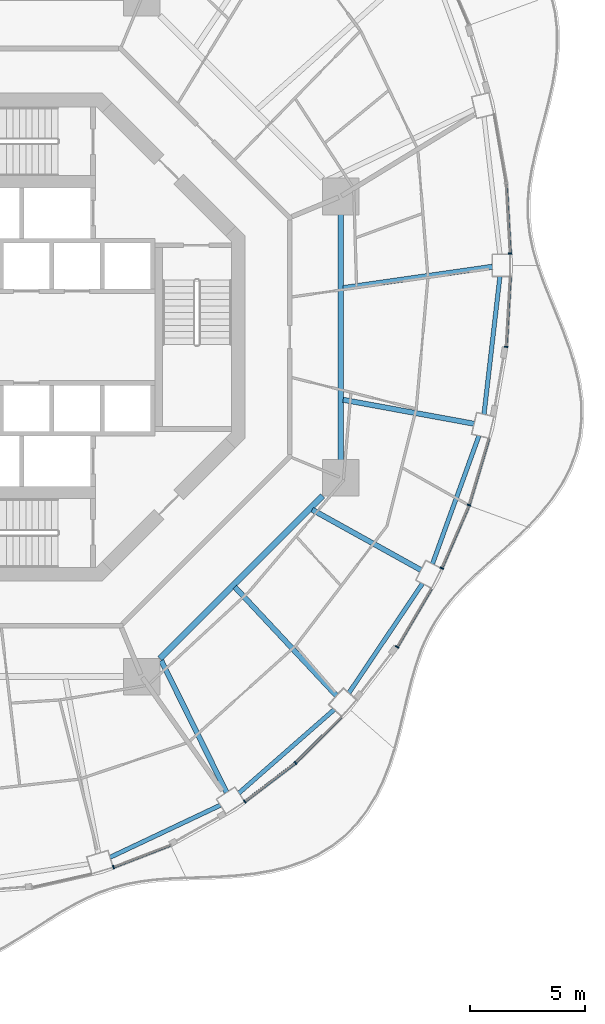
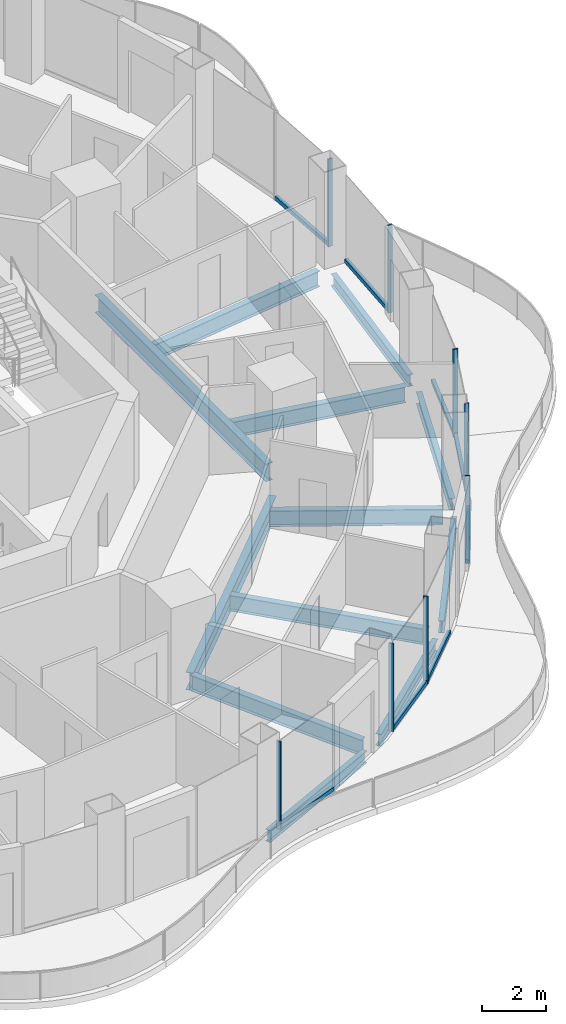
# One storey, part 4 of 18: 16 members, 12 beams, 8 elements without a shape of their own.
"""IFC4 building model written with IfcOpenShell, lengths in metres."""

from ifc_helpers import new_model, si_unit, direction, frame, origin, origin_2d, place, context, subcontext, project, spatial, rectangle, i_section, extrude, material, layer, layer_set, material_profile, profile_set, type_object, element, aggregate, save


model = new_model("IFC4")

# Units and contexts
model_context = context("Model", 3, precision=1e-05, world=origin(), true_north=direction((0.0, 1.0)))
body_context = subcontext(model_context, "Body", "Model", "MODEL_VIEW")
ifc_project = project(units=[si_unit("LENGTHUNIT", "METRE"), si_unit("AREAUNIT", "SQUARE_METRE"), si_unit("VOLUMEUNIT", "CUBIC_METRE"), si_unit("PLANEANGLEUNIT", "RADIAN"), si_unit("MASSUNIT", "GRAM", prefix="KILO")], contexts=[model_context])

# Site, building, storey
site_placement = place(None, origin())
site = spatial("IfcSite", under=ifc_project, at=site_placement, CompositionType="ELEMENT")
building_placement = place(site_placement, origin())
building = spatial("IfcBuilding", under=site, at=building_placement, Name="Nagisa Residences", CompositionType="ELEMENT")
storey_placement = place(building_placement, frame((0.0, 0.0, 249.199951171875)))
storey = spatial("IfcBuildingStorey", under=building, at=storey_placement, Name="L63", CompositionType="ELEMENT", Elevation=249.199951171875)

# Curtain wall, member
ifc_material_1 = material(Name="Concrete-coloured aluminium curtain wall system", Category="concrete")
ifc_layer = layer(ifc_material_1, 0.159912109375)
ifc_layer_set = layer_set([ifc_layer], Name="CW1 CURTAIN WALL")
curtain_wall_type = type_object("IfcCurtainWallType", Name="CW1 CURTAIN WALL", PredefinedType="NOTDEFINED", material=ifc_layer_set)
curtain_wall_1_placement = place(storey_placement, origin())
curtain_wall_1 = element("IfcCurtainWall", 1, at=curtain_wall_1_placement, inside=storey, type_object=curtain_wall_type, Name="cw:CW1:L63:00", PredefinedType="NOTDEFINED")
ifc_material_2 = material(Name="Concrete-coloured aluminium", Category="concrete")
ifc_material_profile_1 = material_profile(ifc_material_2, rectangle(XDim=0.159912109375, YDim=0.06005859375, at=origin_2d()), Name="CW1 MULLION 160x60")
ifc_profile_set_1 = profile_set([ifc_material_profile_1], Name="Concrete-coloured aluminium")
member_type_1 = type_object("IfcMemberType", Name="CW1 MULLION 160x60", PredefinedType="MULLION", material=ifc_profile_set_1)
member_1_placement = place(storey_placement, frame((22.15966796875, 3.642333984375, 0.0), z_axis=(0.0, 0.0, 1.0), x_axis=(-0.998345305184, -0.057503492216, 0.0)))
member_1 = element("IfcMember", 2, at=member_1_placement, type_object=member_type_1, Name="CW1 mullion", PredefinedType="MULLION", context=body_context, shape_type="SweptSolid", body=[
    extrude(rectangle(XDim=0.159912109375, YDim=0.06005859375, at=origin_2d()), origin(), (0.0, 0.0, 1.0), 3.35009765625),
])

curtain_wall_2_placement = place(storey_placement, origin())
curtain_wall_2 = element("IfcCurtainWall", 3, at=curtain_wall_2_placement, inside=storey, type_object=curtain_wall_type, Name="cw:CW1:L63:38", PredefinedType="NOTDEFINED")
member_2_placement = place(storey_placement, frame((4.895263671875, -23.073486328125, 0.0), z_axis=(0.0, 0.0, 1.0), x_axis=(-0.360327770268, 0.932825759707, 0.0)))
member_2 = element("IfcMember", 4, at=member_2_placement, type_object=member_type_1, Name="CW1 mullion", PredefinedType="MULLION", context=body_context, shape_type="SweptSolid", body=[
    extrude(rectangle(XDim=0.159912109375, YDim=0.06005859375, at=origin_2d()), origin(), (0.0, 0.0, 1.0), 3.35009765625),
])

curtain_wall_3_placement = place(storey_placement, origin())
curtain_wall_3 = element("IfcCurtainWall", 5, at=curtain_wall_3_placement, inside=storey, type_object=curtain_wall_type, Name="cw:CW1:L63:40", PredefinedType="NOTDEFINED")
member_3_placement = place(storey_placement, frame((10.6083984375, -20.21826171875, 0.0), z_axis=(0.0, 0.0, 1.0), x_axis=(-0.605255421737, 0.79603132756, 0.0)))
member_3 = element("IfcMember", 6, at=member_3_placement, type_object=member_type_1, Name="CW1 mullion", PredefinedType="MULLION", context=body_context, shape_type="SweptSolid", body=[
    extrude(rectangle(XDim=0.159912109375, YDim=0.06005859375, at=origin_2d()), origin(), (0.0, 0.0, 1.0), 3.35009765625),
])

curtain_wall_4_placement = place(storey_placement, origin())
curtain_wall_4 = element("IfcCurtainWall", 7, at=curtain_wall_4_placement, inside=storey, type_object=curtain_wall_type, Name="cw:CW1:L63:41", PredefinedType="NOTDEFINED")
member_4_placement = place(storey_placement, frame((12.817626953125, -18.534423828125, 0.0), z_axis=(0.0, 0.0, 1.0), x_axis=(-0.706376885714, 0.707835924016, 0.0)))
member_4 = element("IfcMember", 8, at=member_4_placement, type_object=member_type_1, Name="CW1 mullion", PredefinedType="MULLION", context=body_context, shape_type="SweptSolid", body=[
    extrude(rectangle(XDim=0.159912109375, YDim=0.06005859375, at=origin_2d()), origin(), (0.0, 0.0, 1.0), 3.35009765625),
])

curtain_wall_5_placement = place(storey_placement, origin())
curtain_wall_5 = element("IfcCurtainWall", 9, at=curtain_wall_5_placement, inside=storey, type_object=curtain_wall_type, Name="cw:CW1:L63:43", PredefinedType="NOTDEFINED")
member_5_placement = place(storey_placement, frame((17.2421875, -13.489990234375, 0.0), z_axis=(0.0, 0.0, 1.0), x_axis=(-0.862328898214, 0.506348567002, 0.0)))
member_5 = element("IfcMember", 10, at=member_5_placement, type_object=member_type_1, Name="CW1 mullion", PredefinedType="MULLION", context=body_context, shape_type="SweptSolid", body=[
    extrude(rectangle(XDim=0.159912109375, YDim=0.06005859375, at=origin_2d()), origin(), (0.0, 0.0, 1.0), 3.35009765625),
])

curtain_wall_6_placement = place(storey_placement, origin())
curtain_wall_6 = element("IfcCurtainWall", 11, at=curtain_wall_6_placement, inside=storey, type_object=curtain_wall_type, Name="cw:CW1:L63:44", PredefinedType="NOTDEFINED")
member_6_placement = place(storey_placement, frame((19.1826171875, -10.05908203125, 0.0), z_axis=(0.0, 0.0, 1.0), x_axis=(-0.917543276295, 0.397635934147, 0.0)))
member_6 = element("IfcMember", 12, at=member_6_placement, type_object=member_type_1, Name="CW1 mullion", PredefinedType="MULLION", context=body_context, shape_type="SweptSolid", body=[
    extrude(rectangle(XDim=0.159912109375, YDim=0.06005859375, at=origin_2d()), origin(), (0.0, 0.0, 1.0), 3.35009765625),
])

curtain_wall_7_placement = place(storey_placement, origin())
curtain_wall_7 = element("IfcCurtainWall", 13, at=curtain_wall_7_placement, inside=storey, type_object=curtain_wall_type, Name="cw:CW1:L63:45", PredefinedType="NOTDEFINED")
member_7_placement = place(storey_placement, frame((20.36962890625, -7.3125, 0.0), z_axis=(0.0, 0.0, 1.0), x_axis=(-0.958271310082, 0.285860274038, 0.0)))
member_7 = element("IfcMember", 14, at=member_7_placement, type_object=member_type_1, Name="CW1 mullion", PredefinedType="MULLION", context=body_context, shape_type="SweptSolid", body=[
    extrude(rectangle(XDim=0.159912109375, YDim=0.06005859375, at=origin_2d()), origin(), (0.0, 0.0, 1.0), 3.35009765625),
])

curtain_wall_8_placement = place(storey_placement, origin())
curtain_wall_8 = element("IfcCurtainWall", 15, at=curtain_wall_8_placement, inside=storey, type_object=curtain_wall_type, Name="cw:CW1:L63:47", PredefinedType="NOTDEFINED")
member_8_placement = place(storey_placement, frame((21.98583984375, -0.4228515625, 0.0), z_axis=(0.0, 0.0, 1.0), x_axis=(-0.998345305184, 0.057503492216, 0.0)))
member_8 = element("IfcMember", 16, at=member_8_placement, type_object=member_type_1, Name="CW1 mullion", PredefinedType="MULLION", context=body_context, shape_type="SweptSolid", body=[
    extrude(rectangle(XDim=0.159912109375, YDim=0.06005859375, at=origin_2d()), origin(), (0.0, 0.0, 1.0), 3.35009765625),
])

# Member
ifc_material_3 = material(Name="Concrete-coloured aluminium", Category="concrete")
ifc_material_profile_2 = material_profile(ifc_material_3, rectangle(XDim=0.1201171875, YDim=0.14990234375, at=origin_2d()), Name="CW1 TRANSOM 120x150")
ifc_profile_set_2 = profile_set([ifc_material_profile_2], Name="Concrete-coloured aluminium")
member_type_2 = type_object("IfcMemberType", Name="CW1 TRANSOM 120x150", PredefinedType="USERDEFINED", material=ifc_profile_set_2)
member_9_placement = place(storey_placement, frame((22.161376953125, 3.6123046875, 0.074951171875), z_axis=(-0.057528189427, 0.998343882348, 0.0), x_axis=(-0.998343882348, -0.057528189427, 0.0)))
member_9 = element("IfcMember", 17, at=member_9_placement, type_object=member_type_2, Name="CW1 transom", ObjectType="TRANSOM", PredefinedType="USERDEFINED", context=body_context, shape_type="SweptSolid", body=[
    extrude(rectangle(XDim=0.1201171875, YDim=0.14990234375, at=origin_2d()), origin(), (0.0, 0.0, 1.0), 3.0810546875),
])

aggregate(curtain_wall_1, [member_1, member_9])

member_10_placement = place(storey_placement, frame((4.867431640625, -23.084228515625, 0.074951171875), z_axis=(0.932826499224, 0.360325855782, 0.0), x_axis=(-0.360325855782, 0.932826499224, 0.0)))
member_10 = element("IfcMember", 18, at=member_10_placement, type_object=member_type_2, Name="CW1 transom", ObjectType="TRANSOM", PredefinedType="USERDEFINED", context=body_context, shape_type="SweptSolid", body=[
    extrude(rectangle(XDim=0.1201171875, YDim=0.14990234375, at=origin_2d()), origin(), (0.0, 0.0, 1.0), 2.696044921875),
])

aggregate(curtain_wall_2, [member_2, member_10])

member_11_placement = place(storey_placement, frame((10.584716796875, -20.236328125, 0.074951171875), z_axis=(0.796032266948, 0.605254186253, 0.0), x_axis=(-0.605254186253, 0.796032266948, 0.0)))
member_11 = element("IfcMember", 19, at=member_11_placement, type_object=member_type_2, Name="CW1 transom", ObjectType="TRANSOM", PredefinedType="USERDEFINED", context=body_context, shape_type="SweptSolid", body=[
    extrude(rectangle(XDim=0.1201171875, YDim=0.14990234375, at=origin_2d()), origin(), (0.0, 0.0, 1.0), 2.78857421875),
])

aggregate(curtain_wall_3, [member_3, member_11])

member_12_placement = place(storey_placement, frame((12.79638671875, -18.5556640625, 0.074951171875), z_axis=(0.707836044127, 0.706376765356, 0.0), x_axis=(-0.706376765356, 0.707836044127, 0.0)))
member_12 = element("IfcMember", 20, at=member_12_placement, type_object=member_type_2, Name="CW1 transom", ObjectType="TRANSOM", PredefinedType="USERDEFINED", context=body_context, shape_type="SweptSolid", body=[
    extrude(rectangle(XDim=0.1201171875, YDim=0.14990234375, at=origin_2d()), origin(), (0.0, 0.0, 1.0), 2.84423828125),
])

aggregate(curtain_wall_4, [member_4, member_12])

member_13_placement = place(storey_placement, frame((17.22705078125, -13.515869140625, 0.074951171875), z_axis=(0.5063555387, 0.862324804484, 0.0), x_axis=(-0.862324804484, 0.5063555387, 0.0)))
member_13 = element("IfcMember", 21, at=member_13_placement, type_object=member_type_2, Name="CW1 transom", ObjectType="TRANSOM", PredefinedType="USERDEFINED", context=body_context, shape_type="SweptSolid", body=[
    extrude(rectangle(XDim=0.1201171875, YDim=0.14990234375, at=origin_2d()), origin(), (0.0, 0.0, 1.0), 2.95458984375),
])

aggregate(curtain_wall_5, [member_5, member_13])

member_14_placement = place(storey_placement, frame((19.170654296875, -10.086669921875, 0.074951171875), z_axis=(0.397616567135, 0.917551669139, 0.0), x_axis=(-0.917551669139, 0.397616567135, 0.0)))
member_14 = element("IfcMember", 22, at=member_14_placement, type_object=member_type_2, Name="CW1 transom", ObjectType="TRANSOM", PredefinedType="USERDEFINED", context=body_context, shape_type="SweptSolid", body=[
    extrude(rectangle(XDim=0.1201171875, YDim=0.14990234375, at=origin_2d()), origin(), (0.0, 0.0, 1.0), 3.001953125),
])

aggregate(curtain_wall_6, [member_6, member_14])

member_15_placement = place(storey_placement, frame((20.361083984375, -7.341064453125, 0.074951171875), z_axis=(0.285881452443, 0.958264992134, 0.0), x_axis=(-0.958264992134, 0.285881452443, 0.0)))
member_15 = element("IfcMember", 23, at=member_15_placement, type_object=member_type_2, Name="CW1 transom", ObjectType="TRANSOM", PredefinedType="USERDEFINED", context=body_context, shape_type="SweptSolid", body=[
    extrude(rectangle(XDim=0.1201171875, YDim=0.14990234375, at=origin_2d()), origin(), (0.0, 0.0, 1.0), 3.040283203125),
])

aggregate(curtain_wall_7, [member_7, member_15])

member_16_placement = place(storey_placement, frame((21.984130859375, -0.452880859375, 0.074951171875), z_axis=(0.057528189427, 0.998343882348, 0.0), x_axis=(-0.998343882348, 0.057528189427, 0.0)))
member_16 = element("IfcMember", 24, at=member_16_placement, type_object=member_type_2, Name="CW1 transom", ObjectType="TRANSOM", PredefinedType="USERDEFINED", context=body_context, shape_type="SweptSolid", body=[
    extrude(rectangle(XDim=0.1201171875, YDim=0.14990234375, at=origin_2d()), origin(), (0.0, 0.0, 1.0), 3.0810546875),
])

aggregate(curtain_wall_8, [member_8, member_16])

# Beams
ifc_material_4 = material(Name="Steel ASTM A572 Gr 50", Category="steel")
ifc_material_profile_3 = material_profile(ifc_material_4, i_section(OverallWidth=0.2529296875, OverallDepth=0.677978515625, WebThickness=0.01171875, FlangeThickness=0.016357421875, at=origin_2d()), Name="W690x125")
ifc_profile_set_3 = profile_set([ifc_material_profile_3], Name="Steel ASTM A572 Gr 50")
beam_type_1 = type_object("IfcBeamType", Name="Inner ring beam W690x125", PredefinedType="BEAM", material=ifc_profile_set_3)
beam_1_placement = place(storey_placement, frame((6.90869140625, -13.99609375, -0.598876953125), z_axis=(0.707106781187, 0.707106781187, 0.0), x_axis=(-0.707106781187, 0.707106781187, 0.0)))
element("IfcBeam", 25, at=beam_1_placement, inside=storey, type_object=beam_type_1, Name="beam:L63:ib7", PredefinedType="BEAM", context=body_context, shape_type="SweptSolid", body=[
    extrude(i_section(OverallWidth=0.2529296875, OverallDepth=0.677978515625, WebThickness=0.01171875, FlangeThickness=0.016357421875, at=origin_2d()), origin(), (0.0, 0.0, 1.0), 10.023193359375),
])
beam_2_placement = place(storey_placement, frame((14.781982421875, -5.343017578125, -0.598876953125), z_axis=(0.0, 1.0, 0.0), x_axis=(-1.0, 0.0, 0.0)))
element("IfcBeam", 26, at=beam_2_placement, inside=storey, type_object=beam_type_1, Name="beam:L63:ib8", PredefinedType="BEAM", context=body_context, shape_type="SweptSolid", body=[
    extrude(i_section(OverallWidth=0.2529296875, OverallDepth=0.677978515625, WebThickness=0.01171875, FlangeThickness=0.016357421875, at=origin_2d()), origin(), (0.0, 0.0, 1.0), 10.68603515625),
])
ifc_material_5 = material(Name="Steel ASTM A572 Gr 50", Category="steel")
ifc_material_profile_4 = material_profile(ifc_material_5, i_section(OverallWidth=0.18994140625, OverallDepth=0.45703125, WebThickness=0.009033203125, FlangeThickness=0.014404296875, at=origin_2d()), Name="W460x74")
ifc_profile_set_4 = profile_set([ifc_material_profile_4], Name="Steel ASTM A572 Gr 50")
beam_type_2 = type_object("IfcBeamType", Name="Perimeter ring beam W460x74", PredefinedType="BEAM", material=ifc_profile_set_4)
beam_3_placement = place(storey_placement, frame((4.7392578125, -22.648681640625, -0.488525390625), z_axis=(0.904133867308, 0.42724928319, 0.0), x_axis=(-0.42724928319, 0.904133867308, 0.0)))
element("IfcBeam", 27, at=beam_3_placement, inside=storey, type_object=beam_type_2, Name="beam:L63:pb20", PredefinedType="BEAM", context=body_context, shape_type="SweptSolid", body=[
    extrude(i_section(OverallWidth=0.18994140625, OverallDepth=0.45703125, WebThickness=0.009033203125, FlangeThickness=0.014404296875, at=origin_2d()), origin(), (0.0, 0.0, 1.0), 5.317138671875),
])
beam_4_placement = place(storey_placement, frame((10.349853515625, -19.850341796875, -0.488525390625), z_axis=(0.75242320672, 0.65867998147, 0.0), x_axis=(-0.65867998147, 0.75242320672, 0.0)))
element("IfcBeam", 28, at=beam_4_placement, inside=storey, type_object=beam_type_2, Name="beam:L63:pb21", PredefinedType="BEAM", context=body_context, shape_type="SweptSolid", body=[
    extrude(i_section(OverallWidth=0.18994140625, OverallDepth=0.45703125, WebThickness=0.009033203125, FlangeThickness=0.014404296875, at=origin_2d()), origin(), (0.0, 0.0, 1.0), 5.5185546875),
])
beam_5_placement = place(storey_placement, frame((15.13671875, -15.49462890625, -0.488525390625), z_axis=(0.558109119402, 0.829767564345, 0.0), x_axis=(-0.829767564345, 0.558109119402, 0.0)))
element("IfcBeam", 29, at=beam_5_placement, inside=storey, type_object=beam_type_2, Name="beam:L63:pb22", PredefinedType="BEAM", context=body_context, shape_type="SweptSolid", body=[
    extrude(i_section(OverallWidth=0.18994140625, OverallDepth=0.45703125, WebThickness=0.009033203125, FlangeThickness=0.014404296875, at=origin_2d()), origin(), (0.0, 0.0, 1.0), 5.74365234375),
])
beam_6_placement = place(storey_placement, frame((18.77734375, -9.87255859375, -0.488525390625), z_axis=(0.341290329164, 0.939957930558, 0.0), x_axis=(-0.939957930558, 0.341290329164, 0.0)))
element("IfcBeam", 30, at=beam_6_placement, inside=storey, type_object=beam_type_2, Name="beam:L63:pb23", PredefinedType="BEAM", context=body_context, shape_type="SweptSolid", body=[
    extrude(i_section(OverallWidth=0.18994140625, OverallDepth=0.45703125, WebThickness=0.009033203125, FlangeThickness=0.014404296875, at=origin_2d()), origin(), (0.0, 0.0, 1.0), 5.932373046875),
])
beam_7_placement = place(storey_placement, frame((21.022216796875, -3.36181640625, -0.488525390625), z_axis=(0.114650193512, 0.993405925656, 0.0), x_axis=(-0.993405925656, 0.114650193512, 0.0)))
element("IfcBeam", 31, at=beam_7_placement, inside=storey, type_object=beam_type_2, Name="beam:L63:pb24", PredefinedType="BEAM", context=body_context, shape_type="SweptSolid", body=[
    extrude(i_section(OverallWidth=0.18994140625, OverallDepth=0.45703125, WebThickness=0.009033203125, FlangeThickness=0.014404296875, at=origin_2d()), origin(), (0.0, 0.0, 1.0), 6.0390625),
])
ifc_material_6 = material(Name="Steel ASTM A572 Gr 50", Category="steel")
ifc_material_profile_5 = material_profile(ifc_material_6, i_section(OverallWidth=0.22802734375, OverallDepth=0.60302734375, WebThickness=0.010498046875, FlangeThickness=0.014892578125, at=origin_2d()), Name="W610x101")
ifc_profile_set_5 = profile_set([ifc_material_profile_5], Name="Steel ASTM A572 Gr 50")
beam_type_3 = type_object("IfcBeamType", Name="Radial beam W610x101", PredefinedType="BEAM", material=ifc_profile_set_5)
beam_8_placement = place(storey_placement, frame((21.389892578125, 3.063232421875, -0.5615234375), z_axis=(-0.989903345459, -0.141744018034, 0.0), x_axis=(0.141744018034, -0.989903345459, 0.0)))
element("IfcBeam", 32, at=beam_8_placement, inside=storey, type_object=beam_type_3, Name="beam:L63:rb01", PredefinedType="BEAM", context=body_context, shape_type="SweptSolid", body=[
    extrude(i_section(OverallWidth=0.22802734375, OverallDepth=0.60302734375, WebThickness=0.010498046875, FlangeThickness=0.014892578125, at=origin_2d()), origin(), (0.0, 0.0, 1.0), 6.567626953125),
])
beam_9_placement = place(storey_placement, frame((9.815185546875, -19.826416015625, -0.5615234375), z_axis=(-0.443658666969, 0.896195842003, 0.0), x_axis=(-0.896195842003, -0.443658666969, 0.0)))
element("IfcBeam", 33, at=beam_9_placement, inside=storey, type_object=beam_type_3, Name="beam:L63:rb21", PredefinedType="BEAM", context=body_context, shape_type="SweptSolid", body=[
    extrude(i_section(OverallWidth=0.22802734375, OverallDepth=0.60302734375, WebThickness=0.010498046875, FlangeThickness=0.014892578125, at=origin_2d()), origin(), (0.0, 0.0, 1.0), 6.406982421875),
])
beam_10_placement = place(storey_placement, frame((14.605712890625, -15.617431640625, -0.5615234375), z_axis=(-0.683072943543, 0.730350158349, 0.0), x_axis=(-0.730350158349, -0.683072943543, 0.0)))
element("IfcBeam", 34, at=beam_10_placement, inside=storey, type_object=beam_type_3, Name="beam:L63:rb22", PredefinedType="BEAM", context=body_context, shape_type="SweptSolid", body=[
    extrude(i_section(OverallWidth=0.22802734375, OverallDepth=0.60302734375, WebThickness=0.010498046875, FlangeThickness=0.014892578125, at=origin_2d()), origin(), (0.0, 0.0, 1.0), 6.486083984375),
])
beam_11_placement = place(storey_placement, frame((18.27978515625, -10.142822265625, -0.5615234375), z_axis=(-0.874405859214, 0.485195211614, 0.0), x_axis=(-0.485195211614, -0.874405859214, 0.0)))
element("IfcBeam", 35, at=beam_11_placement, inside=storey, type_object=beam_type_3, Name="beam:L63:rb23", PredefinedType="BEAM", context=body_context, shape_type="SweptSolid", body=[
    extrude(i_section(OverallWidth=0.22802734375, OverallDepth=0.60302734375, WebThickness=0.010498046875, FlangeThickness=0.014892578125, at=origin_2d()), origin(), (0.0, 0.0, 1.0), 5.417724609375),
])
beam_12_placement = place(storey_placement, frame((20.592529296875, -3.7734375, -0.5615234375), z_axis=(-0.983621738755, 0.180245041675, 0.0), x_axis=(-0.180245041675, -0.983621738755, 0.0)))
element("IfcBeam", 36, at=beam_12_placement, inside=storey, type_object=beam_type_3, Name="beam:L63:rb24", PredefinedType="BEAM", context=body_context, shape_type="SweptSolid", body=[
    extrude(i_section(OverallWidth=0.22802734375, OverallDepth=0.60302734375, WebThickness=0.010498046875, FlangeThickness=0.014892578125, at=origin_2d()), origin(), (0.0, 0.0, 1.0), 5.798583984375),
])

save(model, "model.ifc")
